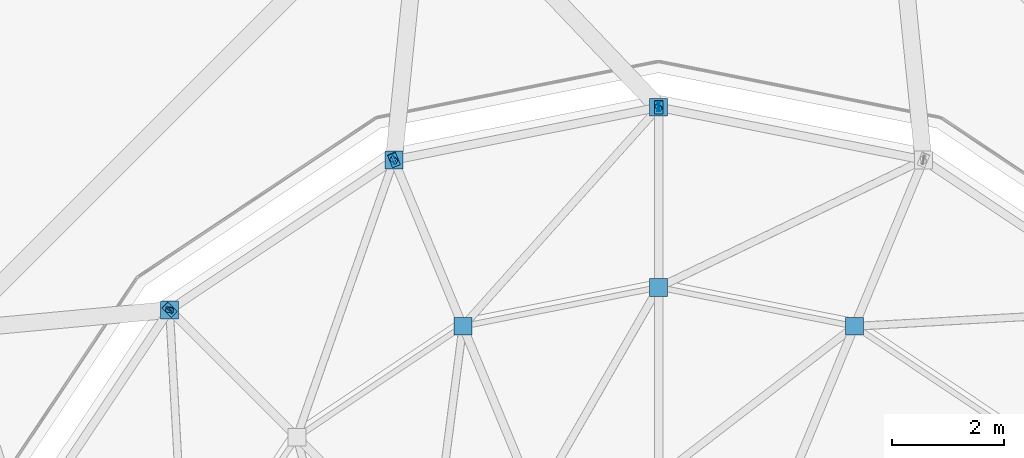
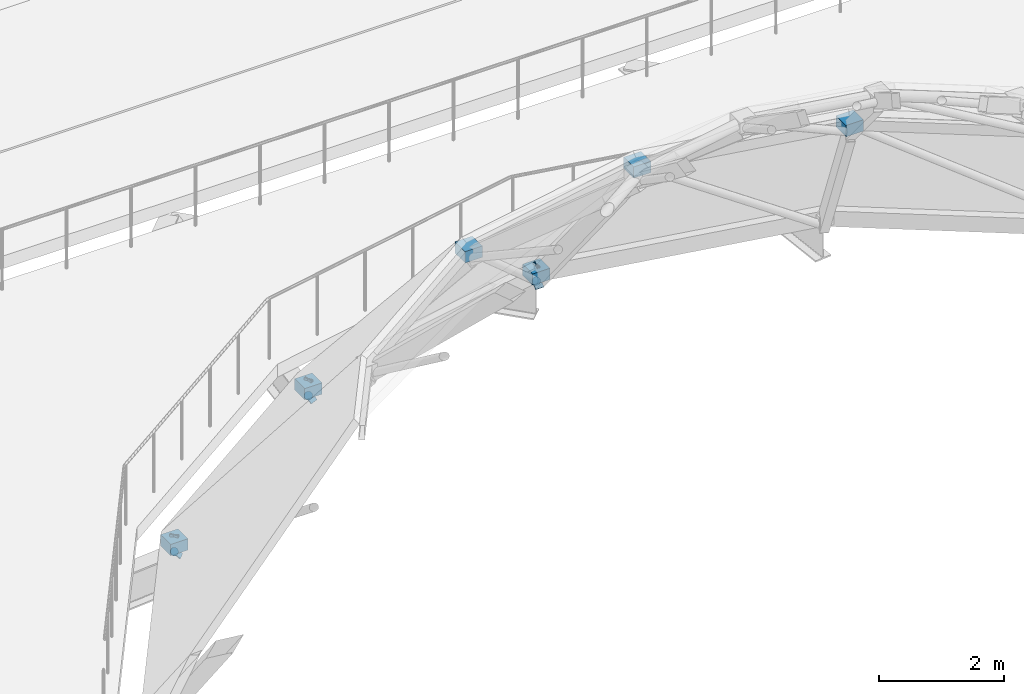
# One storey, part 31 of 40: 18 discrete accessories.
"""IFC4 building model written with IfcOpenShell, lengths in metres."""

from ifc_helpers import new_model, si_unit, direction, frame, origin, origin_2d, place, context, subcontext, project, spatial, rectangle, circle, extrude, material, type_object, element, save


model = new_model("IFC4")

# Units and contexts
model_context = context("Model", 3, precision=1e-05, world=origin(), true_north=direction((0.0, 1.0)))
body_context = subcontext(model_context, "Body", "Model", "MODEL_VIEW")
ifc_project = project(units=[si_unit("LENGTHUNIT", "METRE"), si_unit("AREAUNIT", "SQUARE_METRE"), si_unit("VOLUMEUNIT", "CUBIC_METRE"), si_unit("PLANEANGLEUNIT", "RADIAN"), si_unit("MASSUNIT", "GRAM", prefix="KILO"), si_unit("THERMODYNAMICTEMPERATUREUNIT", "KELVIN")], contexts=[model_context])

# Site, building, storey
site_placement = place(None, origin())
site = spatial("IfcSite", under=ifc_project, at=site_placement, CompositionType="ELEMENT")
building_placement = place(site_placement, origin())
building = spatial("IfcBuilding", under=site, at=building_placement, Name="Lustrewick Department Store", CompositionType="ELEMENT")
storey_placement = place(building_placement, frame((0.0, 0.0, 31.800048828125)))
storey = spatial("IfcBuildingStorey", under=building, at=storey_placement, Name="L07", CompositionType="ELEMENT", Elevation=31.800048828125)

# Discrete accessories
ifc_material = material(Name="Structural steel Q355C", Category="steel")
discrete_accessory_type_1 = type_object("IfcDiscreteAccessoryType", Name="GUS-NODE", PredefinedType="BRACKET", material=ifc_material)
for number, where, z_axis, x_axis, name in (
    (1, (29.39990234375, 79.58251953125, -0.28076171875), (0.0, 0.0, 1.0), (1.0, 0.0, 0.0), "V1 Dome Truss Ring 0 Node Gusset 05"),
    (2, (24.661376953125, 78.639892578125, -0.28076171875), (0.0, 0.0, 1.0), (1.0, 0.0, 0.0), "V1 Dome Truss Ring 0 Node Gusset 06"),
    (3, (20.644287109375, 75.955810546875, -0.28076171875), (0.0, 0.0, 1.0), (1.0, 0.0, 0.0), "V1 Dome Truss Ring 0 Node Gusset 07"),
    (4, (32.9052734375, 75.66259765625, 3.755859375), (0.0, 0.0, 1.0), (1.0, 0.0, 0.0), "V1 Dome Truss Ring 1 Node Gusset 04"),
    (5, (29.39990234375, 76.35986328125, 3.755859375), (0.0, 0.0, 1.0), (1.0, 0.0, 0.0), "V1 Dome Truss Ring 1 Node Gusset 05"),
    (6, (25.894775390625, 75.66259765625, 3.755859375), (0.0, 0.0, 1.0), (1.0, 0.0, 0.0), "V1 Dome Truss Ring 1 Node Gusset 06"),
):
    element("IfcDiscreteAccessory", number, at=place(storey_placement, frame(where, z_axis=z_axis, x_axis=x_axis)), inside=storey, type_object=discrete_accessory_type_1, Name=name, PredefinedType="BRACKET", context=body_context, shape_type="SweptSolid", body=[
        extrude(rectangle(XDim=0.320068359375, YDim=0.320068359375, at=origin_2d()), origin(), (0.0, 0.0, 1.0), 0.219970703125),
    ])
discrete_accessory_type_2 = type_object("IfcDiscreteAccessoryType", Name="ECP-01", PredefinedType="USERDEFINED", material=ifc_material)
discrete_accessory_1_placement = place(storey_placement, frame((29.40576171875, 79.581298828125, -0.170654296875), z_axis=(-0.98078420768, 0.195095714882, 0.0), x_axis=(-0.195095714882, -0.98078420768, 0.0)))
element("IfcDiscreteAccessory", 7, at=discrete_accessory_1_placement, inside=storey, type_object=discrete_accessory_type_2, Name="L07 Welded Hollow-Section End-Cap Plate ECP-01", ObjectType="END_CAP_PLATE", PredefinedType="USERDEFINED", context=body_context, shape_type="SweptSolid", body=[
    extrude(rectangle(XDim=0.14990234375, YDim=0.300048828125, at=origin_2d()), origin(), (0.0, 0.0, 1.0), 0.01611328125),
])
discrete_accessory_2_placement = place(storey_placement, frame((24.659912109375, 78.635498046875, -0.347900390625), z_axis=(0.258350932794, 0.737606427224, -0.623852189259), x_axis=(0.943783054816, -0.330565493422, 0.0)))
element("IfcDiscreteAccessory", 8, at=discrete_accessory_2_placement, inside=storey, type_object=discrete_accessory_type_2, Name="L07 Welded Hollow-Section End-Cap Plate ECP-01", ObjectType="END_CAP_PLATE", PredefinedType="USERDEFINED", context=body_context, shape_type="SweptSolid", body=[
    extrude(circle(Radius=0.070068359375, at=origin_2d()), origin(), (0.0, 0.0, 1.0), 0.01611328125),
])
for number, where, z_axis, x_axis, name in (
    (9, (20.640869140625, 75.950927734375, -0.170654296875), (0.55556285078, 0.83147454491, 0.0), (0.83147454491, -0.55556285078, 0.0), "L07 Welded Hollow-Section End-Cap Plate ECP-01"),
    (10, (24.662841796875, 78.636474609375, -0.322021484375), (-0.240017807162, 0.579377901493, -0.778917646165), (0.923861703701, 0.382726472086, 0.0), "L07 Welded Hollow-Section End-Cap Plate ECP-01"),
):
    element("IfcDiscreteAccessory", number, at=place(storey_placement, frame(where, z_axis=z_axis, x_axis=x_axis)), inside=storey, type_object=discrete_accessory_type_2, Name=name, ObjectType="END_CAP_PLATE", PredefinedType="USERDEFINED", context=body_context, shape_type="SweptSolid", body=[
        extrude(rectangle(XDim=0.14990234375, YDim=0.300048828125, at=origin_2d()), origin(), (0.0, 0.0, 1.0), 0.01611328125),
    ])
discrete_accessory_3_placement = place(storey_placement, frame((20.64453125, 75.951171875, -0.347900390625), z_axis=(-0.043577761045, 0.780335827675, -0.623840504288), x_axis=(0.998444312451, 0.055758003313, 0.0)))
element("IfcDiscreteAccessory", 11, at=discrete_accessory_3_placement, inside=storey, type_object=discrete_accessory_type_2, Name="L07 Welded Hollow-Section End-Cap Plate ECP-01", ObjectType="END_CAP_PLATE", PredefinedType="USERDEFINED", context=body_context, shape_type="SweptSolid", body=[
    extrude(circle(Radius=0.070068359375, at=origin_2d()), origin(), (0.0, 0.0, 1.0), 0.01611328125),
])
for number, where, z_axis, x_axis, name in (
    (12, (20.64697265625, 75.953125, -0.322021484375), (-0.443450133335, 0.443450133335, -0.778912035143), (0.707106781187, 0.707106781187, 0.0), "L07 Welded Hollow-Section End-Cap Plate ECP-01"),
    (13, (20.649169921875, 75.959228515625, -0.170654296875), (-0.83147454491, -0.55556285078, 0.0), (0.55556285078, -0.83147454491, 0.0), "L07 Welded Hollow-Section End-Cap Plate ECP-01"),
    (14, (24.656494140625, 78.636474609375, -0.170654296875), (0.83147454491, 0.55556285078, 0.0), (0.55556285078, -0.83147454491, 0.0), "L07 Welded Hollow-Section End-Cap Plate ECP-01"),
    (15, (24.667236328125, 78.64111328125, -0.170654296875), (-0.980782284253, -0.195105384075, 0.0), (0.195105384075, -0.980782284253, 0.0), "L07 Welded Hollow-Section End-Cap Plate ECP-01"),
    (16, (29.39404296875, 79.581298828125, -0.170654296875), (0.980782284253, 0.195105384075, 0.0), (0.195105384075, -0.980782284253, 0.0), "L07 Welded Hollow-Section End-Cap Plate ECP-01"),
    (17, (29.39990234375, 79.578857421875, -0.322021484375), (0.0, 0.627125427781, -0.778918287005), (1.0, 0.0, 0.0), "L07 Welded Hollow-Section End-Cap Plate ECP-01"),
):
    element("IfcDiscreteAccessory", number, at=place(storey_placement, frame(where, z_axis=z_axis, x_axis=x_axis)), inside=storey, type_object=discrete_accessory_type_2, Name=name, ObjectType="END_CAP_PLATE", PredefinedType="USERDEFINED", context=body_context, shape_type="SweptSolid", body=[
        extrude(rectangle(XDim=0.14990234375, YDim=0.300048828125, at=origin_2d()), origin(), (0.0, 0.0, 1.0), 0.01611328125),
    ])
discrete_accessory_4_placement = place(storey_placement, frame((29.396728515625, 79.5791015625, -0.347900390625), z_axis=(0.520948404734, 0.582597171165, -0.623853585191), x_axis=(0.745446489585, -0.666565474027, 0.0)))
element("IfcDiscreteAccessory", 18, at=discrete_accessory_4_placement, inside=storey, type_object=discrete_accessory_type_2, Name="L07 Welded Hollow-Section End-Cap Plate ECP-01", ObjectType="END_CAP_PLATE", PredefinedType="USERDEFINED", context=body_context, shape_type="SweptSolid", body=[
    extrude(circle(Radius=0.070068359375, at=origin_2d()), origin(), (0.0, 0.0, 1.0), 0.01611328125),
])

save(model, "model.ifc")
